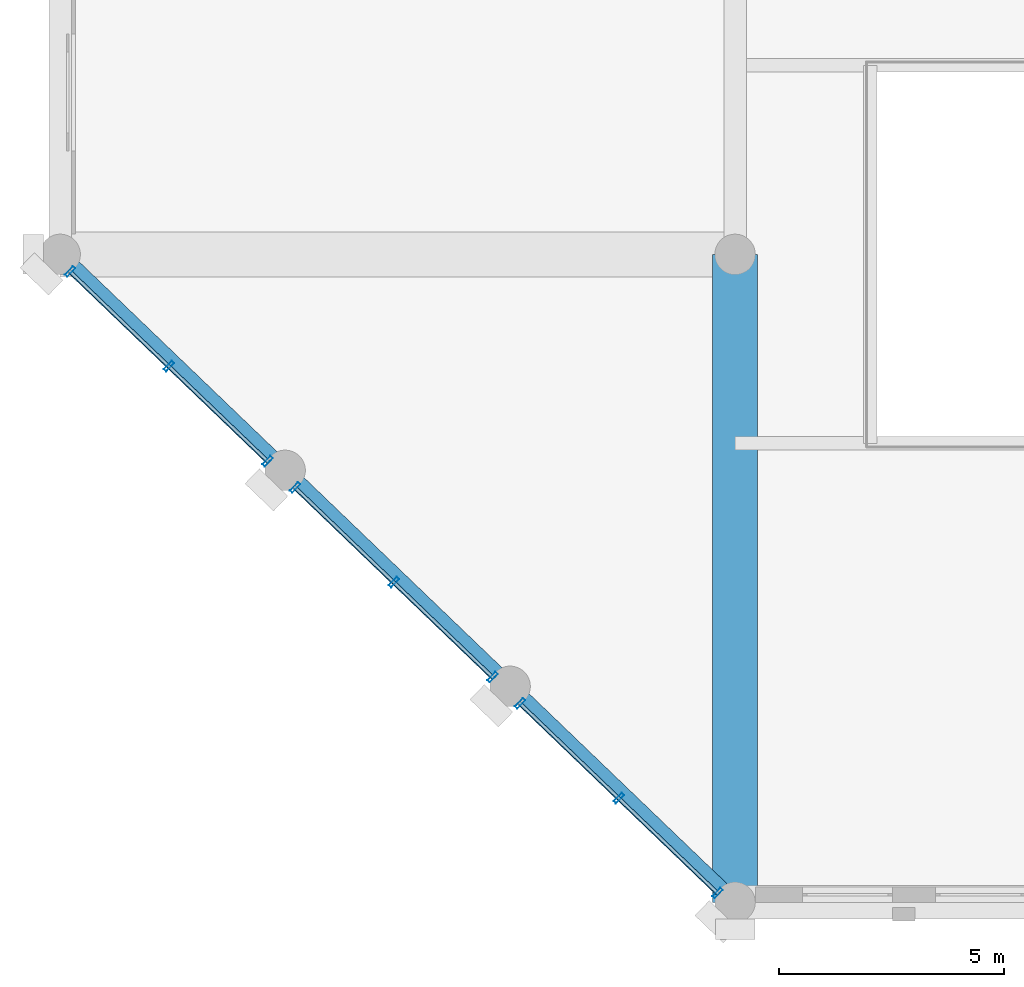
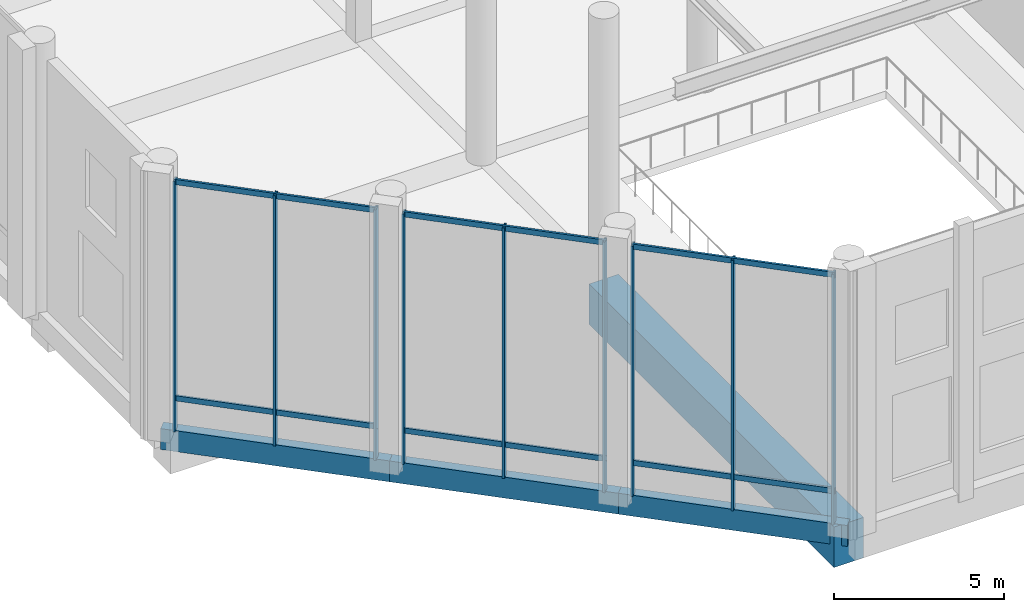
# One storey, part 8 of 80: 15 members, 4 beams, 3 elements without a shape of their own.
"""IFC4 building model written with IfcOpenShell, lengths in metres."""

from ifc_helpers import new_model, si_unit, direction, frame, origin, origin_2d, place, context, subcontext, project, spatial, rectangle, hollow_rectangle, extrude, material, material_profile, profile_set, type_object, element, aggregate, save


model = new_model("IFC4")

# Units and contexts
model_context = context("Model", 3, precision=1e-05, world=origin(), true_north=direction((0.0, 1.0)))
body_context = subcontext(model_context, "Body", "Model", "MODEL_VIEW")
ifc_project = project(units=[si_unit("LENGTHUNIT", "METRE"), si_unit("AREAUNIT", "SQUARE_METRE"), si_unit("VOLUMEUNIT", "CUBIC_METRE"), si_unit("PLANEANGLEUNIT", "RADIAN"), si_unit("MASSUNIT", "GRAM", prefix="KILO")], contexts=[model_context])

# Site, building, storey
site_placement = place(None, origin())
site = spatial("IfcSite", under=ifc_project, at=site_placement, CompositionType="ELEMENT")
building_placement = place(site_placement, origin())
building = spatial("IfcBuilding", under=site, at=building_placement, Name="Akrevak Sports Hall", CompositionType="ELEMENT")
storey_placement = place(building_placement, frame((0.0, 0.0, 14.0)))
storey = spatial("IfcBuildingStorey", under=building, at=storey_placement, Name="L03", CompositionType="ELEMENT", Elevation=14.0)

# Curtain wall, members
ifc_material_1 = material(Name="Anodized Bronze Aluminium & Low-E Glass", Category="aluminium")
curtain_wall_type = type_object("IfcCurtainWallType", Name="ARC-CW-POD-64x94", PredefinedType="NOTDEFINED", material=ifc_material_1)
curtain_wall_1_placement = place(storey_placement, origin())
curtain_wall_1 = element("IfcCurtainWall", 1, at=curtain_wall_1_placement, inside=storey, type_object=curtain_wall_type, Name="Curtain Wall CW-L03-CH1", PredefinedType="NOTDEFINED")
ifc_material_2 = material(Name="Anodized Bronze Aluminium", Category="aluminium")
ifc_material_profile_1 = material_profile(ifc_material_2, hollow_rectangle(XDim=0.074951171875, YDim=0.260009765625, WallThickness=0.0048828125, at=origin_2d()), Name="CWM 75x260", Category="aluminium")
ifc_profile_set_1 = profile_set([ifc_material_profile_1], Name="Anodized Bronze Aluminium")
member_type_1 = type_object("IfcMemberType", Name="ARC-CWM-80x180", PredefinedType="MULLION", material=ifc_profile_set_1)
member_1_placement = place(storey_placement, frame((14.612060546875, 0.2060546875, 0.0), z_axis=(0.0, 0.0, 1.0), x_axis=(-0.721397723859, 0.692520991747, 0.0)))
member_1 = element("IfcMember", 2, at=member_1_placement, type_object=member_type_1, Name="Curtain Wall Mullion CW-L03-CH1-M1", PredefinedType="MULLION", context=body_context, shape_type="SweptSolid", body=[
    extrude(hollow_rectangle(XDim=0.074951171875, YDim=0.260009765625, WallThickness=0.0048828125, at=origin_2d()), origin(), (0.0, 0.0, 1.0), 8.989990234375),
])
member_2_placement = place(storey_placement, frame((12.4169921875, 2.3134765625, 0.0), z_axis=(0.0, 0.0, 1.0), x_axis=(-0.721397723859, 0.692520991747, 0.0)))
member_2 = element("IfcMember", 3, at=member_2_placement, type_object=member_type_1, Name="Curtain Wall Mullion CW-L03-CH1-M2", PredefinedType="MULLION", context=body_context, shape_type="SweptSolid", body=[
    extrude(hollow_rectangle(XDim=0.074951171875, YDim=0.260009765625, WallThickness=0.0048828125, at=origin_2d()), origin(), (0.0, 0.0, 1.0), 8.989990234375),
])
member_3_placement = place(storey_placement, frame((10.2216796875, 4.4208984375, 0.0), z_axis=(0.0, 0.0, 1.0), x_axis=(-0.721397723859, 0.692520991747, 0.0)))
member_3 = element("IfcMember", 4, at=member_3_placement, type_object=member_type_1, Name="Curtain Wall Mullion CW-L03-CH1-M3", PredefinedType="MULLION", context=body_context, shape_type="SweptSolid", body=[
    extrude(hollow_rectangle(XDim=0.074951171875, YDim=0.260009765625, WallThickness=0.0048828125, at=origin_2d()), origin(), (0.0, 0.0, 1.0), 8.989990234375),
])

curtain_wall_2_placement = place(storey_placement, origin())
curtain_wall_2 = element("IfcCurtainWall", 5, at=curtain_wall_2_placement, inside=storey, type_object=curtain_wall_type, Name="Curtain Wall CW-L03-CH2", PredefinedType="NOTDEFINED")
member_4_placement = place(storey_placement, frame((9.612060546875, 5.006103515625, 0.0), z_axis=(0.0, 0.0, 1.0), x_axis=(-0.721397723859, 0.692520991747, 0.0)))
member_4 = element("IfcMember", 6, at=member_4_placement, type_object=member_type_1, Name="Curtain Wall Mullion CW-L03-CH2-M1", PredefinedType="MULLION", context=body_context, shape_type="SweptSolid", body=[
    extrude(hollow_rectangle(XDim=0.074951171875, YDim=0.260009765625, WallThickness=0.0048828125, at=origin_2d()), origin(), (0.0, 0.0, 1.0), 8.989990234375),
])
member_5_placement = place(storey_placement, frame((7.4169921875, 7.11328125, 0.0), z_axis=(0.0, 0.0, 1.0), x_axis=(-0.721397723859, 0.692520991747, 0.0)))
member_5 = element("IfcMember", 7, at=member_5_placement, type_object=member_type_1, Name="Curtain Wall Mullion CW-L03-CH2-M2", PredefinedType="MULLION", context=body_context, shape_type="SweptSolid", body=[
    extrude(hollow_rectangle(XDim=0.074951171875, YDim=0.260009765625, WallThickness=0.0048828125, at=origin_2d()), origin(), (0.0, 0.0, 1.0), 8.989990234375),
])
member_6_placement = place(storey_placement, frame((5.2216796875, 9.220703125, 0.0), z_axis=(0.0, 0.0, 1.0), x_axis=(-0.721397723859, 0.692520991747, 0.0)))
member_6 = element("IfcMember", 8, at=member_6_placement, type_object=member_type_1, Name="Curtain Wall Mullion CW-L03-CH2-M3", PredefinedType="MULLION", context=body_context, shape_type="SweptSolid", body=[
    extrude(hollow_rectangle(XDim=0.074951171875, YDim=0.260009765625, WallThickness=0.0048828125, at=origin_2d()), origin(), (0.0, 0.0, 1.0), 8.989990234375),
])

curtain_wall_3_placement = place(storey_placement, origin())
curtain_wall_3 = element("IfcCurtainWall", 9, at=curtain_wall_3_placement, inside=storey, type_object=curtain_wall_type, Name="Curtain Wall CW-L03-CH3", PredefinedType="NOTDEFINED")
member_7_placement = place(storey_placement, frame((4.612060546875, 9.805908203125, 0.0), z_axis=(0.0, 0.0, 1.0), x_axis=(-0.721397723859, 0.692520991747, 0.0)))
member_7 = element("IfcMember", 10, at=member_7_placement, type_object=member_type_1, Name="Curtain Wall Mullion CW-L03-CH3-M1", PredefinedType="MULLION", context=body_context, shape_type="SweptSolid", body=[
    extrude(hollow_rectangle(XDim=0.074951171875, YDim=0.260009765625, WallThickness=0.0048828125, at=origin_2d()), origin(), (0.0, 0.0, 1.0), 8.989990234375),
])
member_8_placement = place(storey_placement, frame((2.4169921875, 11.913330078125, 0.0), z_axis=(0.0, 0.0, 1.0), x_axis=(-0.721397723859, 0.692520991747, 0.0)))
member_8 = element("IfcMember", 11, at=member_8_placement, type_object=member_type_1, Name="Curtain Wall Mullion CW-L03-CH3-M2", PredefinedType="MULLION", context=body_context, shape_type="SweptSolid", body=[
    extrude(hollow_rectangle(XDim=0.074951171875, YDim=0.260009765625, WallThickness=0.0048828125, at=origin_2d()), origin(), (0.0, 0.0, 1.0), 8.989990234375),
])
member_9_placement = place(storey_placement, frame((0.2216796875, 14.020751953125, 0.0), z_axis=(0.0, 0.0, 1.0), x_axis=(-0.721397723859, 0.692520991747, 0.0)))
member_9 = element("IfcMember", 12, at=member_9_placement, type_object=member_type_1, Name="Curtain Wall Mullion CW-L03-CH3-M3", PredefinedType="MULLION", context=body_context, shape_type="SweptSolid", body=[
    extrude(hollow_rectangle(XDim=0.074951171875, YDim=0.260009765625, WallThickness=0.0048828125, at=origin_2d()), origin(), (0.0, 0.0, 1.0), 8.989990234375),
])

# Member
ifc_material_profile_2 = material_profile(ifc_material_2, hollow_rectangle(XDim=0.074951171875, YDim=0.18994140625, WallThickness=0.00439453125, at=origin_2d()), Name="CWT 75x190", Category="aluminium")
ifc_profile_set_2 = profile_set([ifc_material_profile_2], Name="Anodized Bronze Aluminium")
member_type_2 = type_object("IfcMemberType", Name="ARC-CWT-80x150", PredefinedType="USERDEFINED", material=ifc_profile_set_2)
member_10_placement = place(storey_placement, frame((14.64111328125, 0.17822265625, 1.14990234375), z_axis=(-0.72139127706, 0.692527707303, 0.0), x_axis=(-0.692527707303, -0.72139127706, 0.0)))
member_10 = element("IfcMember", 13, at=member_10_placement, type_object=member_type_2, Name="Curtain Wall Transom CW-L03-CH1-T1", ObjectType="TRANSOM", PredefinedType="USERDEFINED", context=body_context, shape_type="SweptSolid", body=[
    extrude(hollow_rectangle(XDim=0.074951171875, YDim=0.18994140625, WallThickness=0.00439453125, at=origin_2d()), origin(), (0.0, 0.0, 1.0), 6.166259765625),
])

member_11_placement = place(storey_placement, frame((14.64111328125, 0.17822265625, 8.909912109375), z_axis=(-0.72139127706, 0.692527707303, 0.0), x_axis=(-0.692527707303, -0.72139127706, 0.0)))
member_11 = element("IfcMember", 14, at=member_11_placement, type_object=member_type_2, Name="Curtain Wall Transom CW-L03-CH1-T2", ObjectType="TRANSOM", PredefinedType="USERDEFINED", context=body_context, shape_type="SweptSolid", body=[
    extrude(hollow_rectangle(XDim=0.074951171875, YDim=0.18994140625, WallThickness=0.00439453125, at=origin_2d()), origin(), (0.0, 0.0, 1.0), 6.166259765625),
])

aggregate(curtain_wall_1, [member_1, member_2, member_3, member_10, member_11])

member_12_placement = place(storey_placement, frame((9.64111328125, 4.978271484375, 1.14990234375), z_axis=(-0.72139127706, 0.692527707303, 0.0), x_axis=(-0.692527707303, -0.72139127706, 0.0)))
member_12 = element("IfcMember", 15, at=member_12_placement, type_object=member_type_2, Name="Curtain Wall Transom CW-L03-CH2-T1", ObjectType="TRANSOM", PredefinedType="USERDEFINED", context=body_context, shape_type="SweptSolid", body=[
    extrude(hollow_rectangle(XDim=0.074951171875, YDim=0.18994140625, WallThickness=0.00439453125, at=origin_2d()), origin(), (0.0, 0.0, 1.0), 6.166259765625),
])

member_13_placement = place(storey_placement, frame((9.64111328125, 4.978271484375, 8.909912109375), z_axis=(-0.72139127706, 0.692527707303, 0.0), x_axis=(-0.692527707303, -0.72139127706, 0.0)))
member_13 = element("IfcMember", 16, at=member_13_placement, type_object=member_type_2, Name="Curtain Wall Transom CW-L03-CH2-T2", ObjectType="TRANSOM", PredefinedType="USERDEFINED", context=body_context, shape_type="SweptSolid", body=[
    extrude(hollow_rectangle(XDim=0.074951171875, YDim=0.18994140625, WallThickness=0.00439453125, at=origin_2d()), origin(), (0.0, 0.0, 1.0), 6.166259765625),
])

aggregate(curtain_wall_2, [member_4, member_5, member_6, member_12, member_13])

member_14_placement = place(storey_placement, frame((4.64111328125, 9.7783203125, 1.14990234375), z_axis=(-0.72139127706, 0.692527707303, 0.0), x_axis=(-0.692527707303, -0.72139127706, 0.0)))
member_14 = element("IfcMember", 17, at=member_14_placement, type_object=member_type_2, Name="Curtain Wall Transom CW-L03-CH3-T1", ObjectType="TRANSOM", PredefinedType="USERDEFINED", context=body_context, shape_type="SweptSolid", body=[
    extrude(hollow_rectangle(XDim=0.074951171875, YDim=0.18994140625, WallThickness=0.00439453125, at=origin_2d()), origin(), (0.0, 0.0, 1.0), 6.166259765625),
])

member_15_placement = place(storey_placement, frame((4.64111328125, 9.7783203125, 8.909912109375), z_axis=(-0.72139127706, 0.692527707303, 0.0), x_axis=(-0.692527707303, -0.72139127706, 0.0)))
member_15 = element("IfcMember", 18, at=member_15_placement, type_object=member_type_2, Name="Curtain Wall Transom CW-L03-CH3-T2", ObjectType="TRANSOM", PredefinedType="USERDEFINED", context=body_context, shape_type="SweptSolid", body=[
    extrude(hollow_rectangle(XDim=0.074951171875, YDim=0.18994140625, WallThickness=0.00439453125, at=origin_2d()), origin(), (0.0, 0.0, 1.0), 6.166259765625),
])

aggregate(curtain_wall_3, [member_7, member_8, member_9, member_14, member_15])

# Beams
ifc_material_3 = material(Name="Concrete C50/60", Category="concrete")
ifc_material_profile_3 = material_profile(ifc_material_3, rectangle(XDim=1.0, YDim=1.449951171875, at=origin_2d()), Name="BM 1000x1450", Category="concrete")
ifc_profile_set_3 = profile_set([ifc_material_profile_3], Name="Concrete C50/60")
beam_type_1 = type_object("IfcBeamType", Name="STR-BM-LG1000x1450", PredefinedType="BEAM", material=ifc_profile_set_3)
beam_1_placement = place(storey_placement, frame((15.0, 0.0, -0.72509765625), z_axis=(0.0, 1.0, 0.0), x_axis=(-1.0, 0.0, 0.0)))
element("IfcBeam", 19, at=beam_1_placement, inside=storey, type_object=beam_type_1, Name="Girder 3/A-C (L03)", PredefinedType="BEAM", context=body_context, shape_type="SweptSolid", body=[
    extrude(rectangle(XDim=1.0, YDim=1.449951171875, at=origin_2d()), origin(), (0.0, 0.0, 1.0), 14.39990234375),
])
ifc_material_4 = material(Name="Concrete C40/50", Category="concrete")
ifc_material_profile_4 = material_profile(ifc_material_4, rectangle(XDim=0.35009765625, YDim=0.75, at=origin_2d()), Name="SPD 350x750", Category="concrete")
ifc_profile_set_4 = profile_set([ifc_material_profile_4], Name="Concrete C40/50")
beam_type_2 = type_object("IfcBeamType", Name="STR-SPD-RC350x750", PredefinedType="SPANDREL", material=ifc_profile_set_4)
for number, where, z_axis, x_axis, name in (
    (20, (15.0, 0.0, -0.375), (-0.721383801573, 0.692535494273, 0.0), (-0.692535494273, -0.721383801573, 0.0), "Chamfer Colonnade Spandrel Girder 1 (L03)"),
    (21, (10.0, 4.800048828125, -0.375), (-0.721383801573, 0.692535494273, 0.0), (-0.692535494273, -0.721383801573, 0.0), "Chamfer Colonnade Spandrel Girder 2 (L03)"),
):
    element("IfcBeam", number, at=place(storey_placement, frame(where, z_axis=z_axis, x_axis=x_axis)), inside=storey, type_object=beam_type_2, Name=name, PredefinedType="SPANDREL", context=body_context, shape_type="SweptSolid", body=[
        extrude(rectangle(XDim=0.35009765625, YDim=0.75, at=origin_2d()), origin(), (0.0, 0.0, 1.0), 6.93115234375),
    ])
beam_2_placement = place(storey_placement, frame((5.0, 9.60009765625, -0.375), z_axis=(-0.721401399021, 0.692517163318, 0.0), x_axis=(-0.692517163318, -0.721401399021, 0.0)))
element("IfcBeam", 22, at=beam_2_placement, inside=storey, type_object=beam_type_2, Name="Chamfer Colonnade Spandrel Girder 3 (L03)", PredefinedType="SPANDREL", context=body_context, shape_type="SweptSolid", body=[
    extrude(rectangle(XDim=0.35009765625, YDim=0.75, at=origin_2d()), origin(), (0.0, 0.0, 1.0), 6.930908203125),
])

save(model, "model.ifc")
